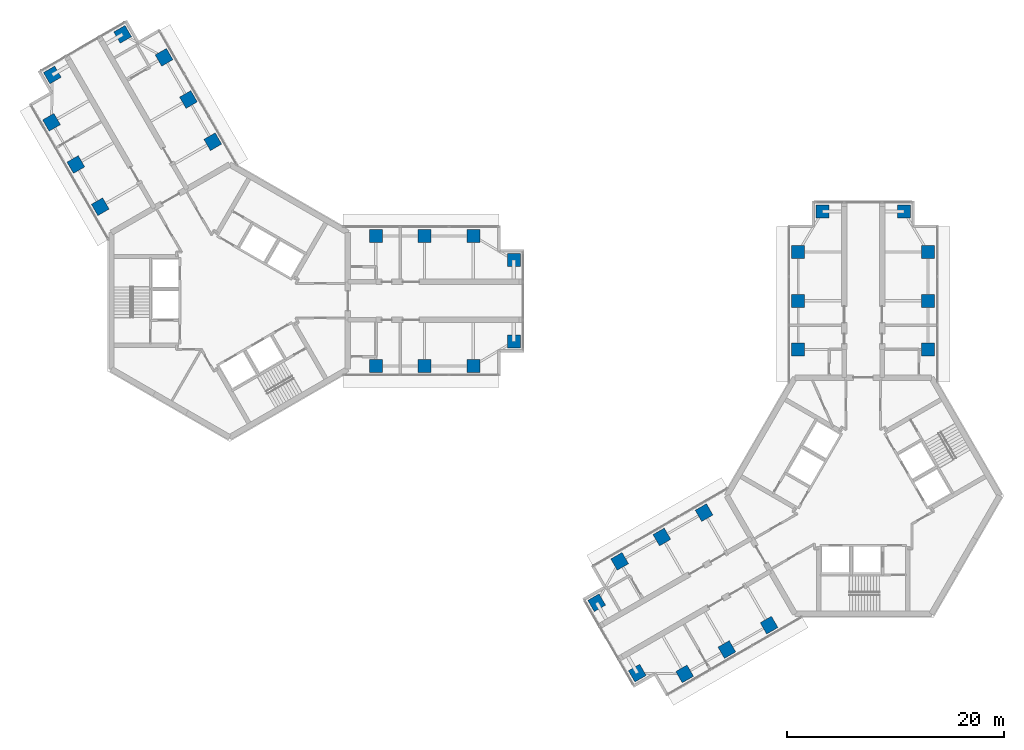
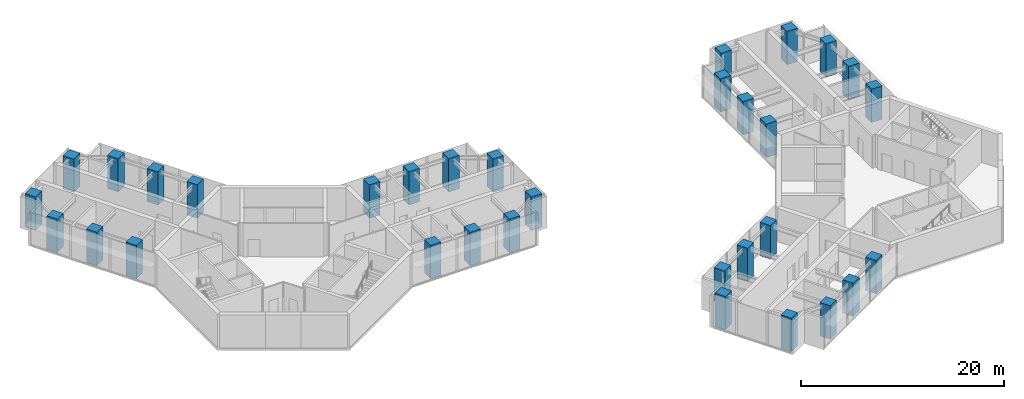
# One storey, part 1 of 17: 32 columns.
"""IFC4 building model written with IfcOpenShell, lengths in metres."""

from ifc_helpers import new_model, si_unit, direction, frame, origin, origin_2d, place, context, subcontext, project, spatial, rectangle, extrude, material, material_profile, profile_set, type_object, element, save


model = new_model("IFC4")

# Units and contexts
model_context = context("Model", 3, precision=1e-05, world=origin(), true_north=direction((0.0, 1.0)))
body_context = subcontext(model_context, "Body", "Model", "MODEL_VIEW")
ifc_project = project(units=[si_unit("LENGTHUNIT", "METRE"), si_unit("AREAUNIT", "SQUARE_METRE"), si_unit("VOLUMEUNIT", "CUBIC_METRE"), si_unit("PLANEANGLEUNIT", "RADIAN"), si_unit("MASSUNIT", "GRAM", prefix="KILO")], contexts=[model_context])

# Site, building, storey
site_placement = place(None, origin())
site = spatial("IfcSite", under=ifc_project, at=site_placement, CompositionType="ELEMENT")
building_placement = place(site_placement, origin())
building = spatial("IfcBuilding", under=site, at=building_placement, Name="Upepo Twin Towers", CompositionType="ELEMENT")
storey_placement = place(building_placement, frame((0.0, 0.0, 178.5)))
storey = spatial("IfcBuildingStorey", under=building, at=storey_placement, Name="L43", CompositionType="ELEMENT", Elevation=178.5)

# Columns
ifc_material = material(Name="Concrete C60/75", Category="concrete")
ifc_material_profile = material_profile(ifc_material, rectangle(XDim=1.199951171875, YDim=1.199951171875, at=origin_2d()), Name="RC 1200x1200")
ifc_profile_set = profile_set([ifc_material_profile], Name="Concrete C60/75")
column_type = type_object("IfcColumnType", Name="Tower column RC 1200x1200", PredefinedType="COLUMN", material=ifc_profile_set)
for number, where, z_axis, x_axis, name in (
    (1, (13.5, 6.0, 0.0), (0.0, 0.0, 1.0), (1.0, 0.0, 0.0), "T1 column AL135"),
    (2, (13.5, -6.0, 0.0), (0.0, 0.0, 1.0), (1.0, 0.0, 0.0), "T1 column AR135"),
    (3, (18.0, 6.0, 0.0), (0.0, 0.0, 1.0), (1.0, 0.0, 0.0), "T1 column AL180"),
    (4, (18.0, -6.0, 0.0), (0.0, 0.0, 1.0), (1.0, 0.0, 0.0), "T1 column AR180"),
    (5, (22.5, 6.0, 0.0), (0.0, 0.0, 1.0), (1.0, 0.0, 0.0), "T1 column AL225"),
    (6, (22.5, -6.0, 0.0), (0.0, 0.0, 1.0), (1.0, 0.0, 0.0), "T1 column AR225"),
    (7, (26.25, 3.75, 0.0), (0.0, 0.0, 1.0), (1.0, 0.0, 0.0), "T1 column ALN"),
    (8, (26.25, -3.75, 0.0), (0.0, 0.0, 1.0), (1.0, 0.0, 0.0), "T1 column ARN"),
    (9, (-11.946044921875, 8.69140625, 0.0), (0.0, 0.0, 1.0), (0.866025403784, 0.5, 0.0), "T1 column BL135"),
    (10, (-1.553955078125, 14.69140625, 0.0), (0.0, 0.0, 1.0), (0.866025403784, 0.5, 0.0), "T1 column BR135"),
    (11, (-14.196044921875, 12.58837890625, 0.0), (0.0, 0.0, 1.0), (0.866025403784, 0.5, 0.0), "T1 column BL180"),
    (12, (-3.803955078125, 18.58837890625, 0.0), (0.0, 0.0, 1.0), (0.866025403784, 0.5, 0.0), "T1 column BR180"),
    (13, (-16.446044921875, 16.485595703125, 0.0), (0.0, 0.0, 1.0), (0.866025403784, 0.5, 0.0), "T1 column BL225"),
    (14, (-6.053955078125, 22.485595703125, 0.0), (0.0, 0.0, 1.0), (0.866025403784, 0.5, 0.0), "T1 column BR225"),
    (15, (-16.37255859375, 20.858154296875, 0.0), (0.0, 0.0, 1.0), (0.866025403784, 0.5, 0.0), "T1 column BLN"),
    (16, (-9.87744140625, 24.608154296875, 0.0), (0.0, 0.0, 1.0), (0.866025403784, 0.5, 0.0), "T1 column BRN"),
    (17, (52.5, -4.5, 0.0), (0.0, 0.0, 1.0), (1.0, 0.0, 0.0), "T2 column AL135"),
    (18, (64.5, -4.5, 0.0), (0.0, 0.0, 1.0), (1.0, 0.0, 0.0), "T2 column AR135"),
    (19, (52.5, 0.0, 0.0), (0.0, 0.0, 1.0), (1.0, 0.0, 0.0), "T2 column AL180"),
    (20, (64.5, 0.0, 0.0), (0.0, 0.0, 1.0), (1.0, 0.0, 0.0), "T2 column AR180"),
    (21, (52.5, 4.5, 0.0), (0.0, 0.0, 1.0), (1.0, 0.0, 0.0), "T2 column AL225"),
    (22, (64.5, 4.5, 0.0), (0.0, 0.0, 1.0), (1.0, 0.0, 0.0), "T2 column AR225"),
    (23, (54.75, 8.25, 0.0), (0.0, 0.0, 1.0), (1.0, 0.0, 0.0), "T2 column ALN"),
    (24, (62.25, 8.25, 0.0), (0.0, 0.0, 1.0), (1.0, 0.0, 0.0), "T2 column ARN"),
    (25, (49.80859375, -29.946044921875, 0.0), (0.0, 0.0, 1.0), (0.866025403784, 0.5, 0.0), "T2 column BL135"),
    (26, (43.80859375, -19.553955078125, 0.0), (0.0, 0.0, 1.0), (0.866025403784, 0.5, 0.0), "T2 column BR135"),
    (27, (45.91162109375, -32.196044921875, 0.0), (0.0, 0.0, 1.0), (0.866025403784, 0.5, 0.0), "T2 column BL180"),
    (28, (39.91162109375, -21.803955078125, 0.0), (0.0, 0.0, 1.0), (0.866025403784, 0.5, 0.0), "T2 column BR180"),
    (29, (42.014404296875, -34.446044921875, 0.0), (0.0, 0.0, 1.0), (0.866025403784, 0.5, 0.0), "T2 column BL225"),
    (30, (36.014404296875, -24.053955078125, 0.0), (0.0, 0.0, 1.0), (0.866025403784, 0.5, 0.0), "T2 column BR225"),
    (31, (37.641845703125, -34.37255859375, 0.0), (0.0, 0.0, 1.0), (0.866025403784, 0.5, 0.0), "T2 column BLN"),
    (32, (33.891845703125, -27.87744140625, 0.0), (0.0, 0.0, 1.0), (0.866025403784, 0.5, 0.0), "T2 column BRN"),
):
    element("IfcColumn", number, at=place(storey_placement, frame(where, z_axis=z_axis, x_axis=x_axis)), inside=storey, type_object=column_type, Name=name, PredefinedType="COLUMN", context=body_context, shape_type="SweptSolid", body=[
        extrude(rectangle(XDim=1.199951171875, YDim=1.199951171875, at=origin_2d()), origin(), (0.0, 0.0, 1.0), 4.0),
    ])

save(model, "model.ifc")
